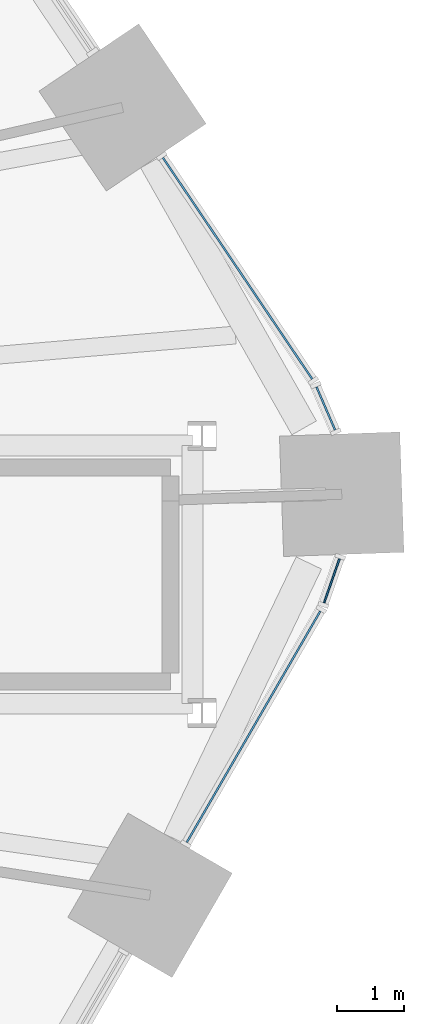
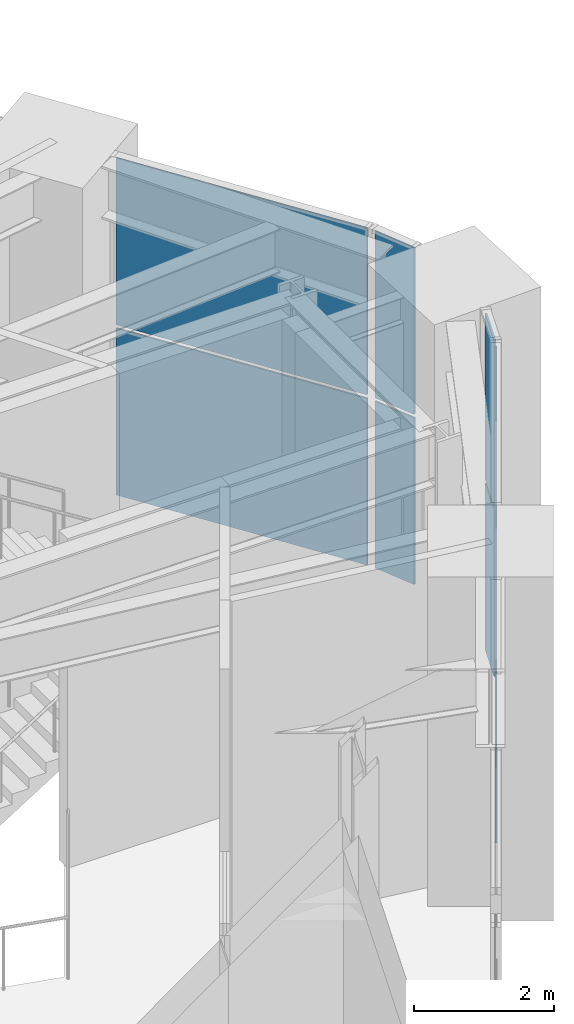
# One storey, part 20 of 32: 8 plates, 4 elements without a shape of their own.
"""IFC4 building model written with IfcOpenShell, lengths in metres."""

import ifcopenshell
import ifcopenshell.guid

model = None  # the IFC model being written
_history = None  # IfcOwnerHistory: only IFC2X3 demands one
_inside = {}  # id of a spatial element -> (the spatial element, [elements in it])
_under = {}  # id of a project, library or spatial element -> (it, [spatial elements below it])
_declared = {}  # id of a project -> (the project, [libraries it declares])
_typed = {}  # id of a type object -> (the type object, [elements of that type])
_made_of = {}  # id of a material, layer set ... -> (it, [elements and type objects made of it])


def new_model(schema):
    """Start an empty IFC model of exactly this schema.

    Asked for "IFC4X3", IfcOpenShell would pick the latest addendum, in which some entities
    have other attributes; the version numbers below select the first issue.
    IFC2X3 requires an IfcOwnerHistory on every rooted entity: one is made here for all.
    """
    global model, _history
    if schema == "IFC4X3":
        model = ifcopenshell.file(schema_version=(4, 3, 0, 0))
    else:
        model = ifcopenshell.file(schema=schema)
    _inside.clear()
    _under.clear()
    _declared.clear()
    _typed.clear()
    _made_of.clear()
    _history = None
    if model.schema == "IFC2X3":
        org = make("IfcOrganization", Name="unknown")
        user = make(
            "IfcPersonAndOrganization",
            ThePerson=make("IfcPerson", FamilyName="unknown"),
            TheOrganization=org,
        )
        app = make(
            "IfcApplication",
            ApplicationDeveloper=org,
            Version="unknown",
            ApplicationFullName="unknown",
            ApplicationIdentifier="unknown",
        )
        _history = make(
            "IfcOwnerHistory",
            OwningUser=user,
            OwningApplication=app,
            ChangeAction="ADDED",
            CreationDate=0,
        )
    return model


def make(cls, **values):
    """One entity of the class cls with the attributes given. An attribute that is None is left unset."""
    return model.create_entity(
        cls, **{name: value for name, value in values.items() if value is not None}
    )


def rooted(cls, **values):
    """An entity with a GlobalId (a new one), such as an element, a storey or a relation."""
    return make(cls, GlobalId=ifcopenshell.guid.new(), OwnerHistory=_history, **values)


def si_unit(unit_type, name, prefix=None):
    """IfcSIUnit, for example si_unit("LENGTHUNIT", "METRE", prefix="MILLI")."""
    return make("IfcSIUnit", UnitType=unit_type, Prefix=prefix, Name=name)


def assignment(units):
    """IfcUnitAssignment: the units of a project."""
    return None if units is None else make("IfcUnitAssignment", Units=units)


def point(xyz):
    """IfcCartesianPoint."""
    return None if xyz is None else make("IfcCartesianPoint", Coordinates=xyz)


def direction(xyz):
    """IfcDirection."""
    return None if xyz is None else make("IfcDirection", DirectionRatios=xyz)


def frame(location, z_axis=None, x_axis=None):
    """IfcAxis2Placement3D, a coordinate frame: its origin and axes. An axis left out is left unset."""
    return make(
        "IfcAxis2Placement3D",
        Location=point(location),
        Axis=direction(z_axis),
        RefDirection=direction(x_axis),
    )


def frame_2d(location, x_axis=None):
    """IfcAxis2Placement2D, a coordinate frame in the plane: its origin and x axis."""
    return make(
        "IfcAxis2Placement2D", Location=point(location), RefDirection=direction(x_axis)
    )


def origin():
    """The frame at (0, 0, 0) with its axes left unset."""
    return frame((0.0, 0.0, 0.0))


def origin_2d():
    """The frame at (0, 0) in the plane with its x axis left unset."""
    return frame_2d((0.0, 0.0))


def place(relative_to, where):
    """IfcLocalPlacement: puts the frame where relative to a parent placement (None: the world)."""
    return make(
        "IfcLocalPlacement", PlacementRelTo=relative_to, RelativePlacement=where
    )


def context(
    kind, dimensions, precision=None, world=None, true_north=None, identifier=None
):
    """IfcGeometricRepresentationContext, for example the 3D "Model" context."""
    return make(
        "IfcGeometricRepresentationContext",
        ContextIdentifier=identifier,
        ContextType=kind,
        CoordinateSpaceDimension=dimensions,
        Precision=precision,
        WorldCoordinateSystem=world,
        TrueNorth=true_north,
    )


def subcontext(parent, identifier, kind, view, scale=None):
    """IfcGeometricRepresentationSubContext, for example "Body" below "Model"."""
    return make(
        "IfcGeometricRepresentationSubContext",
        ContextIdentifier=identifier,
        ContextType=kind,
        ParentContext=parent,
        TargetScale=scale,
        TargetView=view,
    )


def project(units=None, contexts=None):
    """IfcProject with its units and contexts."""
    return rooted(
        "IfcProject",
        Name="project",
        RepresentationContexts=contexts,
        UnitsInContext=assignment(units),
    )


def spatial(cls, under=None, at=None, **own):
    """A site, building, storey or space (cls), placed at a placement, below another one or the project."""
    s = rooted(cls, ObjectPlacement=at, **own)
    if under is not None:
        _under.setdefault(under.id(), (under, []))[1].append(s)
    return s


def profile(cls, at=None, kind="AREA", **sizes):
    """A parametric profile (cls). Its sizes go by their IFC names, for example OverallWidth=200.0."""
    return make(cls, ProfileType=kind, Position=at, **sizes)


def rectangle(**sizes):
    """IfcRectangleProfileDef."""
    return profile("IfcRectangleProfileDef", **sizes)


def extrude(swept, where, along, depth):
    """IfcExtrudedAreaSolid: the profile swept, set in the frame where, extruded along a direction by depth."""
    return make(
        "IfcExtrudedAreaSolid",
        SweptArea=swept,
        Position=where,
        ExtrudedDirection=direction(along),
        Depth=depth,
    )


def shape(context_of_items, identifier, shape_type, items):
    """IfcShapeRepresentation: the items that make up one representation, for example the "Body"."""
    return make(
        "IfcShapeRepresentation",
        ContextOfItems=context_of_items,
        RepresentationIdentifier=identifier,
        RepresentationType=shape_type,
        Items=items,
    )


def material(Name=None, Category=None):
    """IfcMaterial."""
    return make("IfcMaterial", Name=Name, Category=Category)


def layer(
    of_material, thickness, ventilated=None, Name=None, Category=None, Priority=None
):
    """IfcMaterialLayer: one layer of a wall or slab, of a material (None: an air gap)."""
    return make(
        "IfcMaterialLayer",
        Material=of_material,
        LayerThickness=thickness,
        IsVentilated=ventilated,
        Name=Name,
        Category=Category,
        Priority=Priority,
    )


def layer_set(layers, Name=None):
    """IfcMaterialLayerSet."""
    return make("IfcMaterialLayerSet", MaterialLayers=layers, LayerSetName=Name)


def made_of(thing, what):
    """Note that an element or type object is made of a material, layer set ...; save() writes the relation."""
    if what is not None:
        _made_of.setdefault(what.id(), (what, []))[1].append(thing)
    return thing


def type_object(cls, material=None, **own):
    """A type object (cls), such as IfcWallType, which elements share."""
    return made_of(rooted(cls, **own), material)


def element(
    cls,
    number,
    at=None,
    inside=None,
    cuts=None,
    type_object=None,
    material=None,
    context=None,
    identifier="Body",
    shape_type=None,
    held_by="IfcProductDefinitionShape",
    body=None,
    shapes=None,
    **own,
):
    """One element of the class cls, such as IfcWall. Its Tag is "e" and its number.

    at: its placement. inside: the storey or other place that contains it. cuts: it is an
    opening in that element (IfcRelVoidsElement). A single representation is given by context,
    identifier, shape_type and body (its items); several are given by shapes. held_by: the class
    of the entity that holds the representations. save() writes the other relations.
    """
    e = rooted(cls, Tag="e%d" % number, ObjectPlacement=at, **own)
    if body is not None:
        shapes = [shape(context, identifier, shape_type, body)]
    if shapes is not None:
        e.Representation = make(held_by, Representations=shapes)
    if inside is not None:
        _inside.setdefault(inside.id(), (inside, []))[1].append(e)
    if cuts is not None:
        rooted(
            "IfcRelVoidsElement", RelatingBuildingElement=cuts, RelatedOpeningElement=e
        )
    if type_object is not None:
        _typed.setdefault(type_object.id(), (type_object, []))[1].append(e)
    return made_of(e, material)


def aggregate(whole, parts):
    """IfcRelAggregates: a whole, such as a stair, and the parts it consists of."""
    return rooted("IfcRelAggregates", RelatingObject=whole, RelatedObjects=parts)


def save(model, path):
    """Write the relations noted so far, then the file.

    IfcRelAggregates (storeys below a building ...), IfcRelContainedInSpatialStructure (elements
    in a storey), IfcRelDefinesByType, IfcRelAssociatesMaterial and IfcRelDeclares: one each for
    every whole, place, type object, material and project.
    """
    for whole, parts in _under.values():
        aggregate(whole, parts)
    for where, things in _inside.values():
        rooted(
            "IfcRelContainedInSpatialStructure",
            RelatedElements=things,
            RelatingStructure=where,
        )
    for kind, things in _typed.values():
        rooted("IfcRelDefinesByType", RelatedObjects=things, RelatingType=kind)
    for what, things in _made_of.values():
        rooted("IfcRelAssociatesMaterial", RelatedObjects=things, RelatingMaterial=what)
    for by, libraries in _declared.values():
        rooted("IfcRelDeclares", RelatingContext=by, RelatedDefinitions=libraries)
    model.write(path)


model = new_model("IFC4")

# Units and contexts
model_context = context("Model", 3, precision=1e-05, world=origin(), true_north=direction((0.0, 1.0)))
body_context = subcontext(model_context, "Body", "Model", "MODEL_VIEW")
ifc_project = project(units=[si_unit("LENGTHUNIT", "METRE"), si_unit("AREAUNIT", "SQUARE_METRE"), si_unit("VOLUMEUNIT", "CUBIC_METRE"), si_unit("PLANEANGLEUNIT", "RADIAN"), si_unit("MASSUNIT", "GRAM", prefix="KILO")], contexts=[model_context])

# Site, building, storey
site_placement = place(None, origin())
site = spatial("IfcSite", under=ifc_project, at=site_placement, CompositionType="ELEMENT")
building_placement = place(site_placement, origin())
building = spatial("IfcBuilding", under=site, at=building_placement, Name="Tarnside Tower", CompositionType="ELEMENT")
storey_placement = place(building_placement, frame((0.0, 0.0, 9.0)))
storey = spatial("IfcBuildingStorey", under=building, at=storey_placement, Name="L01", CompositionType="ELEMENT", Elevation=9.0)

# Curtain wall, plates
ifc_material_1 = material(Name="Retail shopfront glazing wall", Category="glass")
curtain_wall_type = type_object("IfcCurtainWallType", Name="Retail shopfront glazing wall", PredefinedType="NOTDEFINED", material=ifc_material_1)
curtain_wall_1_placement = place(storey_placement, origin())
curtain_wall_1 = element("IfcCurtainWall", 1, at=curtain_wall_1_placement, inside=storey, type_object=curtain_wall_type, Name="Retail shopfront glazing L01 18.0", PredefinedType="NOTDEFINED")
ifc_material_2 = material(Name="Low-iron safety glass", Category="glass")
ifc_layer = layer(ifc_material_2, 0.028076171875)
ifc_layer_set = layer_set([ifc_layer], Name="Retail shopfront glazing panel 28")
plate_type = type_object("IfcPlateType", Name="Retail shopfront glazing panel 28", PredefinedType="CURTAIN_PANEL", material=ifc_layer_set)
plate_1_placement = place(storey_placement, frame((32.365966796875, -2.300537109375, -0.18994140625), z_axis=(0.0, 0.0, 1.0), x_axis=(0.499999999849, 0.866025403872, 0.0)))
plate_1 = element("IfcPlate", 2, at=plate_1_placement, type_object=plate_type, Name="CW2 panel 1.1", PredefinedType="CURTAIN_PANEL", context=body_context, shape_type="SweptSolid", body=[
    extrude(rectangle(XDim=3.991943359375, YDim=0.028076171875, at=origin_2d()), origin(), (0.0, 0.0, 1.0), 2.909912109375),
])
plate_2_placement = place(storey_placement, frame((32.365966796875, -2.300537109375, 2.7802734375), z_axis=(0.0, 0.0, 1.0), x_axis=(0.499999999849, 0.866025403872, 0.0)))
plate_2 = element("IfcPlate", 3, at=plate_2_placement, type_object=plate_type, Name="CW2 panel 1.2", PredefinedType="CURTAIN_PANEL", context=body_context, shape_type="SweptSolid", body=[
    extrude(rectangle(XDim=3.991943359375, YDim=0.028076171875, at=origin_2d()), origin(), (0.0, 0.0, 1.0), 2.909912109375),
])
aggregate(curtain_wall_1, [plate_1, plate_2])

curtain_wall_2_placement = place(storey_placement, origin())
curtain_wall_2 = element("IfcCurtainWall", 4, at=curtain_wall_2_placement, inside=storey, type_object=curtain_wall_type, Name="Retail shopfront glazing L01 18.1", PredefinedType="NOTDEFINED")
plate_3_placement = place(storey_placement, frame((33.5361328125, -0.118896484375, -0.18994140625), z_axis=(0.0, 0.0, 1.0), x_axis=(0.331063417649, 0.943608506476, 0.0)))
plate_3 = element("IfcPlate", 5, at=plate_3_placement, type_object=plate_type, Name="CW2 panel 1.1", PredefinedType="CURTAIN_PANEL", context=body_context, shape_type="SweptSolid", body=[
    extrude(rectangle(XDim=0.701416015625, YDim=0.028076171875, at=origin_2d()), origin(), (0.0, 0.0, 1.0), 2.909912109375),
])
plate_4_placement = place(storey_placement, frame((33.5361328125, -0.118896484375, 2.7802734375), z_axis=(0.0, 0.0, 1.0), x_axis=(0.331063417649, 0.943608506476, 0.0)))
plate_4 = element("IfcPlate", 6, at=plate_4_placement, type_object=plate_type, Name="CW2 panel 1.2", PredefinedType="CURTAIN_PANEL", context=body_context, shape_type="SweptSolid", body=[
    extrude(rectangle(XDim=0.701416015625, YDim=0.028076171875, at=origin_2d()), origin(), (0.0, 0.0, 1.0), 2.909912109375),
])
aggregate(curtain_wall_2, [plate_3, plate_4])

curtain_wall_3_placement = place(storey_placement, origin())
curtain_wall_3 = element("IfcCurtainWall", 7, at=curtain_wall_3_placement, inside=storey, type_object=curtain_wall_type, Name="Retail shopfront glazing L01 19.0", PredefinedType="NOTDEFINED")
plate_5_placement = place(storey_placement, frame((33.446044921875, 2.4580078125, -0.18994140625), z_axis=(0.0, 0.0, 1.0), x_axis=(-0.396079765761, 0.918216107, 0.0)))
plate_5 = element("IfcPlate", 8, at=plate_5_placement, type_object=plate_type, Name="CW2 panel 1.1", PredefinedType="CURTAIN_PANEL", context=body_context, shape_type="SweptSolid", body=[
    extrude(rectangle(XDim=0.701416015625, YDim=0.028076171875, at=origin_2d()), origin(), (0.0, 0.0, 1.0), 2.909912109375),
])
plate_6_placement = place(storey_placement, frame((33.446044921875, 2.4580078125, 2.7802734375), z_axis=(0.0, 0.0, 1.0), x_axis=(-0.396079765761, 0.918216107, 0.0)))
plate_6 = element("IfcPlate", 9, at=plate_6_placement, type_object=plate_type, Name="CW2 panel 1.2", PredefinedType="CURTAIN_PANEL", context=body_context, shape_type="SweptSolid", body=[
    extrude(rectangle(XDim=0.701416015625, YDim=0.028076171875, at=origin_2d()), origin(), (0.0, 0.0, 1.0), 2.909912109375),
])
aggregate(curtain_wall_3, [plate_5, plate_6])

curtain_wall_4_placement = place(storey_placement, origin())
curtain_wall_4 = element("IfcCurtainWall", 10, at=curtain_wall_4_placement, inside=storey, type_object=curtain_wall_type, Name="Retail shopfront glazing L01 19.1", PredefinedType="NOTDEFINED")
plate_7_placement = place(storey_placement, frame((32.126708984375, 4.552734375, -0.18994140625), z_axis=(0.0, 0.0, 1.0), x_axis=(-0.559192903572, 0.829037572487, 0.0)))
plate_7 = element("IfcPlate", 11, at=plate_7_placement, type_object=plate_type, Name="CW2 panel 1.1", PredefinedType="CURTAIN_PANEL", context=body_context, shape_type="SweptSolid", body=[
    extrude(rectangle(XDim=3.991943359375, YDim=0.028076171875, at=origin_2d()), origin(), (0.0, 0.0, 1.0), 2.909912109375),
])
plate_8_placement = place(storey_placement, frame((32.126708984375, 4.552734375, 2.7802734375), z_axis=(0.0, 0.0, 1.0), x_axis=(-0.559192903572, 0.829037572487, 0.0)))
plate_8 = element("IfcPlate", 12, at=plate_8_placement, type_object=plate_type, Name="CW2 panel 1.2", PredefinedType="CURTAIN_PANEL", context=body_context, shape_type="SweptSolid", body=[
    extrude(rectangle(XDim=3.991943359375, YDim=0.028076171875, at=origin_2d()), origin(), (0.0, 0.0, 1.0), 2.909912109375),
])
aggregate(curtain_wall_4, [plate_7, plate_8])

save(model, "model.ifc")
